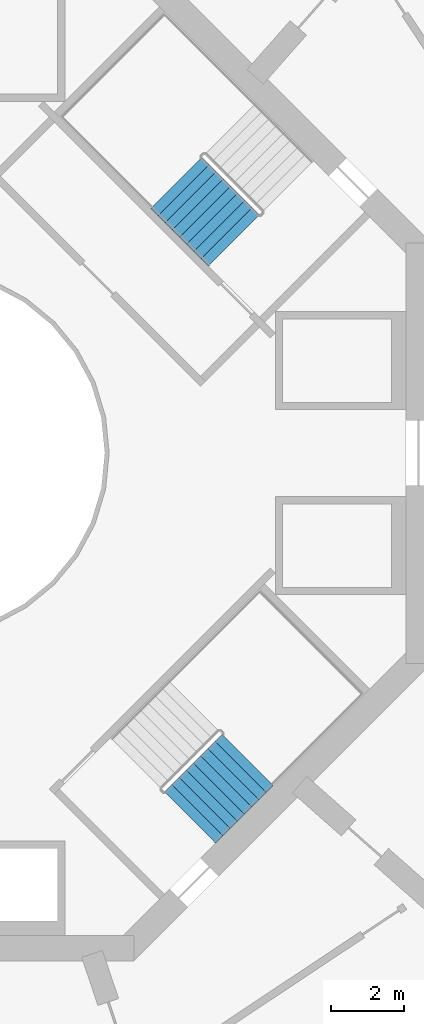
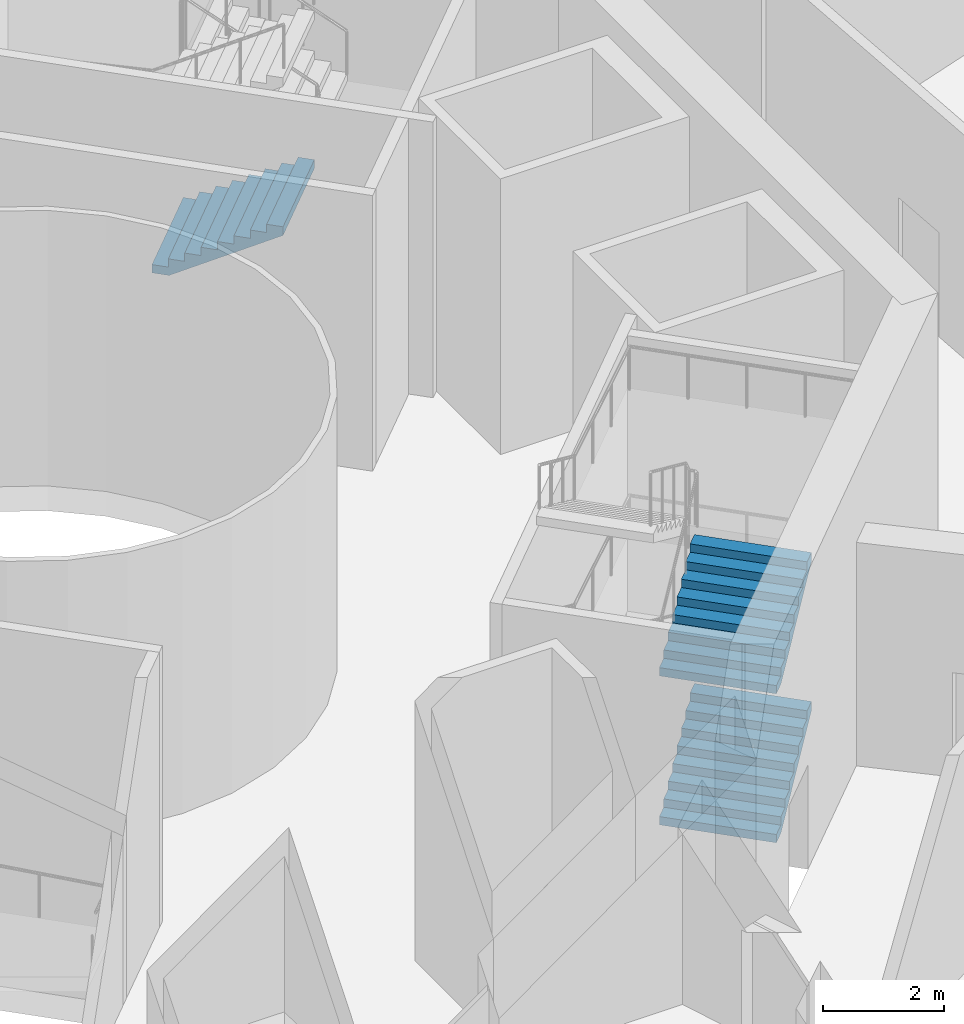
# One storey, part 13 of 16: 3 stair flights, 2 elements without a shape of their own.
"""IFC4 building model written with IfcOpenShell, lengths in metres."""

from ifc_helpers import new_model, si_unit, direction, frame, origin, place, context, subcontext, project, spatial, triangles, material, type_object, element, aggregate, save


model = new_model("IFC4")

# Units and contexts
model_context = context("Model", 3, precision=1e-05, world=origin(), true_north=direction((0.0, 1.0)))
body_context = subcontext(model_context, "Body", "Model", "MODEL_VIEW")
ifc_project = project(units=[si_unit("LENGTHUNIT", "METRE"), si_unit("AREAUNIT", "SQUARE_METRE"), si_unit("VOLUMEUNIT", "CUBIC_METRE"), si_unit("PLANEANGLEUNIT", "RADIAN"), si_unit("MASSUNIT", "GRAM", prefix="KILO")], contexts=[model_context])

# Site, building, storey
site_placement = place(None, origin())
site = spatial("IfcSite", under=ifc_project, at=site_placement, CompositionType="ELEMENT")
building_placement = place(site_placement, origin())
building = spatial("IfcBuilding", under=site, at=building_placement, Name="Verdalira Terraces Hotel", CompositionType="ELEMENT")
storey_placement = place(building_placement, frame((0.0, 0.0, 169.0)))
storey = spatial("IfcBuildingStorey", under=building, at=storey_placement, Name="L41", CompositionType="ELEMENT", Elevation=169.0)

# Stair, stair flight
ifc_material_1 = material(Name="Concrete C40", Category="concrete")
stair_type = type_object("IfcStairType", Name="Core stair 36 risers 2000 mm wide", PredefinedType="HALF_TURN_STAIR", material=ifc_material_1)
stair_1_placement = place(storey_placement, origin())
stair_1 = element("IfcStair", 1, at=stair_1_placement, inside=storey, type_object=stair_type, Name="L41 Exit stair ST1", PredefinedType="HALF_TURN_STAIR")
ifc_material_2 = material(Name="Concrete C40", Category="concrete")
stair_flight_type = type_object("IfcStairFlightType", Name="Core stair flight 36 risers 2000 mm wide", PredefinedType="STRAIGHT", material=ifc_material_2)
stair_flight_1_placement = place(storey_placement, frame((6.972168, 7.452881, 1.5), z_axis=(0.0, 0.0, 1.0), x_axis=(0.707106781, -0.707106781, 0.0)))
stair_flight_1 = element("IfcStairFlight", 2, at=stair_flight_1_placement, type_object=stair_flight_type, Name="ST1 flight 2", NumberOfRisers=9, NumberOfTreads=8, PredefinedType="STRAIGHT", RiserHeight=0.166666667, TreadLength=0.28, context=body_context, shape_type="Tessellation", body=[
    triangles([(0.0, 1.0, 0.0), (0.292969, 1.0, 0.0), (2.23999, 1.0, 1.158936), (0.0, -1.0, 0.0), (0.292969, -1.0, 0.0), (2.23999, -1.0, 1.158936), (2.23999, 1.0, 1.333252), (1.959961, 1.0, 1.333252), (2.23999, -1.0, 1.333252), (1.959961, -1.0, 1.333252), (1.959961, 1.0, 1.166748), (1.959961, -1.0, 1.166748), (1.679932, 1.0, 1.166748), (1.679932, -1.0, 1.166748), (1.679932, 1.0, 1.0), (1.679932, -1.0, 1.0), (1.399902, 1.0, 1.0), (1.399902, 1.0, 0.833252), (1.399902, -1.0, 1.0), (1.399902, -1.0, 0.833252), (1.120117, 1.0, 0.833252), (1.120117, 1.0, 0.666748), (1.120117, -1.0, 0.833252), (1.120117, -1.0, 0.666748), (0.840088, 1.0, 0.666748), (0.840088, 1.0, 0.5), (0.840088, -1.0, 0.666748), (0.840088, -1.0, 0.5), (0.560059, 1.0, 0.5), (0.560059, 1.0, 0.333252), (0.560059, -1.0, 0.5), (0.560059, -1.0, 0.333252), (0.280029, 1.0, 0.333252), (0.280029, 1.0, 0.166748), (0.280029, -1.0, 0.333252), (0.280029, -1.0, 0.166748), (0.0, 1.0, 0.166748), (0.0, -1.0, 0.166748), (0.0, -0.9375, 0.0), (0.0, -0.9375, 0.166748), (0.0, -0.875, 0.0), (0.0, -0.875, 0.166748), (0.0, -0.8125, 0.0), (0.0, -0.8125, 0.166748), (0.0, -0.75, 0.0), (0.0, -0.75, 0.166748), (0.0, -0.6875, 0.0), (0.0, -0.6875, 0.166748), (0.0, -0.625, 0.0), (0.0, -0.625, 0.166748), (0.0, -0.5625, 0.0), (0.0, -0.5625, 0.166748), (0.0, -0.5, 0.0), (0.0, -0.5, 0.166748), (0.0, -0.4375, 0.0), (0.0, -0.4375, 0.166748), (0.0, -0.375, 0.0), (0.0, -0.375, 0.166748), (0.0, -0.3125, 0.0), (0.0, -0.3125, 0.166748), (0.0, -0.25, 0.0), (0.0, -0.25, 0.166748), (0.0, -0.1875, 0.0), (0.0, -0.1875, 0.166748), (0.0, -0.125, 0.0), (0.0, -0.125, 0.166748), (0.0, -0.0625, 0.0), (0.0, -0.0625, 0.166748), (0.0, 0.0, 0.0), (0.0, 0.0, 0.166748), (0.0, 0.0625, 0.0), (0.0, 0.0625, 0.166748), (0.0, 0.125, 0.0), (0.0, 0.125, 0.166748), (0.0, 0.1875, 0.0), (0.0, 0.1875, 0.166748), (0.0, 0.25, 0.0), (0.0, 0.25, 0.166748), (0.0, 0.3125, 0.0), (0.0, 0.3125, 0.166748), (0.0, 0.375, 0.0), (0.0, 0.375, 0.166748), (0.0, 0.4375, 0.0), (0.0, 0.4375, 0.166748), (0.0, 0.5, 0.0), (0.0, 0.5, 0.166748), (0.0, 0.5625, 0.0), (0.0, 0.5625, 0.166748), (0.0, 0.625, 0.0), (0.0, 0.625, 0.166748), (0.0, 0.6875, 0.0), (0.0, 0.6875, 0.166748), (0.0, 0.75, 0.0), (0.0, 0.75, 0.166748), (0.0, 0.8125, 0.0), (0.0, 0.8125, 0.166748), (0.0, 0.875, 0.0), (0.0, 0.875, 0.166748), (0.0, 0.9375, 0.0), (0.0, 0.9375, 0.166748), (2.23999, -0.9375, 1.333252), (2.23999, -0.875, 1.333252), (2.23999, -0.8125, 1.333252), (2.23999, -0.75, 1.333252), (2.23999, -0.6875, 1.333252), (2.23999, -0.625, 1.333252), (2.23999, -0.5625, 1.333252), (2.23999, -0.5, 1.333252), (2.23999, -0.4375, 1.333252), (2.23999, -0.375, 1.333252), (2.23999, -0.3125, 1.333252), (2.23999, -0.25, 1.333252), (2.23999, -0.1875, 1.333252), (2.23999, -0.125, 1.333252), (2.23999, -0.0625, 1.333252), (2.23999, 0.0, 1.333252), (2.23999, 0.0625, 1.333252), (2.23999, 0.125, 1.333252), (2.23999, 0.1875, 1.333252), (2.23999, 0.25, 1.333252), (2.23999, 0.3125, 1.333252), (2.23999, 0.375, 1.333252), (2.23999, 0.4375, 1.333252), (2.23999, 0.5, 1.333252), (2.23999, 0.5625, 1.333252), (2.23999, 0.625, 1.333252), (2.23999, 0.6875, 1.333252), (2.23999, 0.75, 1.333252), (2.23999, 0.8125, 1.333252), (2.23999, 0.875, 1.333252), (2.23999, 0.9375, 1.333252), (2.23999, -0.9375, 1.158936), (2.23999, -0.875, 1.158936), (2.23999, -0.8125, 1.158936), (2.23999, -0.75, 1.158936), (2.23999, -0.6875, 1.158936), (2.23999, -0.625, 1.158936), (2.23999, -0.5625, 1.158936), (2.23999, -0.5, 1.158936), (2.23999, -0.4375, 1.158936), (2.23999, -0.375, 1.158936), (2.23999, -0.3125, 1.158936), (2.23999, -0.25, 1.158936), (2.23999, -0.1875, 1.158936), (2.23999, -0.125, 1.158936), (2.23999, -0.0625, 1.158936), (2.23999, 0.0, 1.158936), (2.23999, 0.0625, 1.158936), (2.23999, 0.125, 1.158936), (2.23999, 0.1875, 1.158936), (2.23999, 0.25, 1.158936), (2.23999, 0.3125, 1.158936), (2.23999, 0.375, 1.158936), (2.23999, 0.4375, 1.158936), (2.23999, 0.5, 1.158936), (2.23999, 0.5625, 1.158936), (2.23999, 0.625, 1.158936), (2.23999, 0.6875, 1.158936), (2.23999, 0.75, 1.158936), (2.23999, 0.8125, 1.158936), (2.23999, 0.875, 1.158936), (2.23999, 0.9375, 1.158936)], [[1, 3, 2], [4, 5, 6], [3, 8, 7], [6, 9, 10], [3, 11, 8], [6, 10, 12], [3, 13, 11], [6, 12, 14], [3, 15, 13], [6, 14, 16], [15, 18, 17], [16, 19, 20], [3, 18, 15], [6, 16, 20], [18, 22, 21], [20, 23, 24], [3, 22, 18], [6, 20, 24], [22, 26, 25], [24, 27, 28], [3, 26, 22], [6, 24, 28], [26, 30, 29], [28, 31, 32], [3, 30, 26], [6, 28, 32], [1, 30, 3], [4, 6, 32], [30, 34, 33], [32, 35, 36], [1, 34, 30], [4, 32, 36], [34, 1, 37], [36, 38, 4], [4, 40, 39], [4, 38, 40], [39, 42, 41], [39, 40, 42], [41, 44, 43], [41, 42, 44], [43, 46, 45], [43, 44, 46], [45, 48, 47], [45, 46, 48], [47, 50, 49], [47, 48, 50], [49, 52, 51], [49, 50, 52], [51, 54, 53], [51, 52, 54], [53, 56, 55], [53, 54, 56], [55, 58, 57], [55, 56, 58], [57, 60, 59], [57, 58, 60], [59, 62, 61], [59, 60, 62], [61, 64, 63], [61, 62, 64], [63, 66, 65], [63, 64, 66], [65, 68, 67], [65, 66, 68], [67, 70, 69], [67, 68, 70], [69, 72, 71], [69, 70, 72], [71, 74, 73], [71, 72, 74], [73, 76, 75], [73, 74, 76], [75, 78, 77], [75, 76, 78], [77, 80, 79], [77, 78, 80], [79, 82, 81], [79, 80, 82], [81, 84, 83], [81, 82, 84], [83, 86, 85], [83, 84, 86], [85, 88, 87], [85, 86, 88], [87, 90, 89], [87, 88, 90], [89, 92, 91], [89, 90, 92], [91, 94, 93], [91, 92, 94], [93, 96, 95], [93, 94, 96], [95, 98, 97], [95, 96, 98], [97, 100, 99], [97, 98, 100], [99, 37, 1], [99, 100, 37], [38, 36, 40], [40, 36, 42], [42, 36, 44], [44, 36, 46], [46, 36, 48], [48, 36, 50], [50, 36, 52], [52, 36, 54], [54, 36, 56], [56, 36, 58], [58, 36, 60], [60, 36, 62], [62, 36, 64], [64, 36, 66], [66, 36, 68], [68, 36, 70], [70, 36, 72], [72, 36, 74], [74, 36, 76], [76, 36, 78], [78, 36, 80], [80, 36, 82], [82, 36, 84], [84, 36, 86], [86, 36, 88], [88, 36, 90], [90, 36, 92], [92, 36, 94], [94, 36, 96], [96, 36, 98], [98, 36, 100], [100, 36, 37], [37, 36, 34], [36, 33, 34], [36, 35, 33], [35, 30, 33], [35, 32, 30], [32, 29, 30], [32, 31, 29], [31, 26, 29], [31, 28, 26], [28, 25, 26], [28, 27, 25], [27, 22, 25], [27, 24, 22], [24, 21, 22], [24, 23, 21], [23, 18, 21], [23, 20, 18], [20, 17, 18], [20, 19, 17], [19, 15, 17], [19, 16, 15], [16, 13, 15], [16, 14, 13], [14, 11, 13], [14, 12, 11], [12, 8, 11], [12, 10, 8], [9, 101, 10], [101, 102, 10], [102, 103, 10], [103, 104, 10], [104, 105, 10], [105, 106, 10], [106, 107, 10], [107, 108, 10], [108, 109, 10], [109, 110, 10], [110, 111, 10], [111, 112, 10], [112, 113, 10], [113, 114, 10], [114, 115, 10], [115, 116, 10], [116, 117, 10], [117, 118, 10], [118, 119, 10], [119, 120, 10], [120, 121, 10], [121, 122, 10], [122, 123, 10], [123, 124, 10], [124, 125, 10], [125, 126, 10], [126, 127, 10], [127, 128, 10], [128, 129, 10], [129, 130, 10], [130, 131, 10], [131, 7, 10], [7, 8, 10], [9, 132, 101], [9, 6, 132], [101, 133, 102], [101, 132, 133], [102, 134, 103], [102, 133, 134], [103, 135, 104], [103, 134, 135], [104, 136, 105], [104, 135, 136], [105, 137, 106], [105, 136, 137], [106, 138, 107], [106, 137, 138], [107, 139, 108], [107, 138, 139], [108, 140, 109], [108, 139, 140], [109, 141, 110], [109, 140, 141], [110, 142, 111], [110, 141, 142], [111, 143, 112], [111, 142, 143], [112, 144, 113], [112, 143, 144], [113, 145, 114], [113, 144, 145], [114, 146, 115], [114, 145, 146], [115, 147, 116], [115, 146, 147], [116, 148, 117], [116, 147, 148], [117, 149, 118], [117, 148, 149], [118, 150, 119], [118, 149, 150], [119, 151, 120], [119, 150, 151], [120, 152, 121], [120, 151, 152], [121, 153, 122], [121, 152, 153], [122, 154, 123], [122, 153, 154], [123, 155, 124], [123, 154, 155], [124, 156, 125], [124, 155, 156], [125, 157, 126], [125, 156, 157], [126, 158, 127], [126, 157, 158], [127, 159, 128], [127, 158, 159], [128, 160, 129], [128, 159, 160], [129, 161, 130], [129, 160, 161], [130, 162, 131], [130, 161, 162], [131, 3, 7], [131, 162, 3], [6, 5, 132], [132, 5, 133], [133, 5, 134], [134, 5, 135], [135, 5, 136], [136, 5, 137], [137, 5, 138], [138, 5, 139], [139, 5, 140], [140, 5, 141], [141, 5, 142], [142, 5, 143], [143, 5, 144], [144, 5, 145], [145, 5, 146], [146, 5, 147], [147, 5, 148], [148, 5, 149], [149, 5, 150], [150, 5, 151], [151, 5, 152], [152, 5, 153], [153, 5, 154], [154, 5, 155], [155, 5, 156], [156, 5, 157], [157, 5, 158], [158, 5, 159], [159, 5, 160], [160, 5, 161], [161, 5, 162], [162, 5, 3], [3, 5, 2], [4, 39, 5], [39, 41, 5], [41, 43, 5], [43, 45, 5], [45, 47, 5], [47, 49, 5], [49, 51, 5], [51, 53, 5], [53, 55, 5], [55, 57, 5], [57, 59, 5], [59, 61, 5], [61, 63, 5], [63, 65, 5], [65, 67, 5], [67, 69, 5], [69, 71, 5], [71, 73, 5], [73, 75, 5], [75, 77, 5], [77, 79, 5], [79, 81, 5], [81, 83, 5], [83, 85, 5], [85, 87, 5], [87, 89, 5], [89, 91, 5], [91, 93, 5], [93, 95, 5], [95, 97, 5], [97, 99, 5], [99, 1, 5], [1, 2, 5]], closed=True),
])
aggregate(stair_1, [stair_flight_1])

# Stair, stair flights
stair_2_placement = place(storey_placement, origin())
stair_2 = element("IfcStair", 3, at=stair_2_placement, inside=storey, type_object=stair_type, Name="L41 Exit stair ST3", PredefinedType="HALF_TURN_STAIR")
stair_flight_2_placement = place(storey_placement, frame((7.354004, -10.041016, 0.0), z_axis=(0.0, 0.0, 1.0), x_axis=(0.707106781, 0.707106781, 0.0)))
stair_flight_2 = element("IfcStairFlight", 4, at=stair_flight_2_placement, type_object=stair_flight_type, Name="ST3 flight 1", NumberOfRisers=9, NumberOfTreads=8, PredefinedType="STRAIGHT", RiserHeight=0.166666667, TreadLength=0.28, context=body_context, shape_type="Tessellation", body=[
    triangles([(0.0, 1.0, 0.0), (0.292969, 1.0, 0.0), (2.23999, 1.0, 1.158936), (0.0, -1.0, 0.0), (0.292969, -1.0, 0.0), (2.23999, -1.0, 1.158936), (2.23999, 1.0, 1.333252), (1.959961, 1.0, 1.333252), (2.23999, -1.0, 1.333252), (1.959961, -1.0, 1.333252), (1.959961, 1.0, 1.166748), (1.959961, -1.0, 1.166748), (1.679932, 1.0, 1.166748), (1.679932, -1.0, 1.166748), (1.679932, 1.0, 1.0), (1.679932, -1.0, 1.0), (1.399902, 1.0, 1.0), (1.399902, 1.0, 0.833252), (1.399902, -1.0, 1.0), (1.399902, -1.0, 0.833252), (1.120117, 1.0, 0.833252), (1.120117, 1.0, 0.666748), (1.120117, -1.0, 0.833252), (1.120117, -1.0, 0.666748), (0.840088, 1.0, 0.666748), (0.840088, 1.0, 0.5), (0.840088, -1.0, 0.666748), (0.840088, -1.0, 0.5), (0.560059, 1.0, 0.5), (0.560059, 1.0, 0.333252), (0.560059, -1.0, 0.5), (0.560059, -1.0, 0.333252), (0.280029, 1.0, 0.333252), (0.280029, 1.0, 0.166748), (0.280029, -1.0, 0.333252), (0.280029, -1.0, 0.166748), (0.0, 1.0, 0.166748), (0.0, -1.0, 0.166748), (0.0, -0.9375, 0.0), (0.0, -0.9375, 0.166748), (0.0, -0.875, 0.0), (0.0, -0.875, 0.166748), (0.0, -0.8125, 0.0), (0.0, -0.8125, 0.166748), (0.0, -0.75, 0.0), (0.0, -0.75, 0.166748), (0.0, -0.6875, 0.0), (0.0, -0.6875, 0.166748), (0.0, -0.625, 0.0), (0.0, -0.625, 0.166748), (0.0, -0.5625, 0.0), (0.0, -0.5625, 0.166748), (0.0, -0.5, 0.0), (0.0, -0.5, 0.166748), (0.0, -0.4375, 0.0), (0.0, -0.4375, 0.166748), (0.0, -0.375, 0.0), (0.0, -0.375, 0.166748), (0.0, -0.3125, 0.0), (0.0, -0.3125, 0.166748), (0.0, -0.25, 0.0), (0.0, -0.25, 0.166748), (0.0, -0.1875, 0.0), (0.0, -0.1875, 0.166748), (0.0, -0.125, 0.0), (0.0, -0.125, 0.166748), (0.0, -0.0625, 0.0), (0.0, -0.0625, 0.166748), (0.0, 0.0, 0.0), (0.0, 0.0, 0.166748), (0.0, 0.0625, 0.0), (0.0, 0.0625, 0.166748), (0.0, 0.125, 0.0), (0.0, 0.125, 0.166748), (0.0, 0.1875, 0.0), (0.0, 0.1875, 0.166748), (0.0, 0.25, 0.0), (0.0, 0.25, 0.166748), (0.0, 0.3125, 0.0), (0.0, 0.3125, 0.166748), (0.0, 0.375, 0.0), (0.0, 0.375, 0.166748), (0.0, 0.4375, 0.0), (0.0, 0.4375, 0.166748), (0.0, 0.5, 0.0), (0.0, 0.5, 0.166748), (0.0, 0.5625, 0.0), (0.0, 0.5625, 0.166748), (0.0, 0.625, 0.0), (0.0, 0.625, 0.166748), (0.0, 0.6875, 0.0), (0.0, 0.6875, 0.166748), (0.0, 0.75, 0.0), (0.0, 0.75, 0.166748), (0.0, 0.8125, 0.0), (0.0, 0.8125, 0.166748), (0.0, 0.875, 0.0), (0.0, 0.875, 0.166748), (0.0, 0.9375, 0.0), (0.0, 0.9375, 0.166748), (2.23999, -0.9375, 1.333252), (2.23999, -0.875, 1.333252), (2.23999, -0.8125, 1.333252), (2.23999, -0.75, 1.333252), (2.23999, -0.6875, 1.333252), (2.23999, -0.625, 1.333252), (2.23999, -0.5625, 1.333252), (2.23999, -0.5, 1.333252), (2.23999, -0.4375, 1.333252), (2.23999, -0.375, 1.333252), (2.23999, -0.3125, 1.333252), (2.23999, -0.25, 1.333252), (2.23999, -0.1875, 1.333252), (2.23999, -0.125, 1.333252), (2.23999, -0.0625, 1.333252), (2.23999, 0.0, 1.333252), (2.23999, 0.0625, 1.333252), (2.23999, 0.125, 1.333252), (2.23999, 0.1875, 1.333252), (2.23999, 0.25, 1.333252), (2.23999, 0.3125, 1.333252), (2.23999, 0.375, 1.333252), (2.23999, 0.4375, 1.333252), (2.23999, 0.5, 1.333252), (2.23999, 0.5625, 1.333252), (2.23999, 0.625, 1.333252), (2.23999, 0.6875, 1.333252), (2.23999, 0.75, 1.333252), (2.23999, 0.8125, 1.333252), (2.23999, 0.875, 1.333252), (2.23999, 0.9375, 1.333252), (2.23999, -0.9375, 1.158936), (2.23999, -0.875, 1.158936), (2.23999, -0.8125, 1.158936), (2.23999, -0.75, 1.158936), (2.23999, -0.6875, 1.158936), (2.23999, -0.625, 1.158936), (2.23999, -0.5625, 1.158936), (2.23999, -0.5, 1.158936), (2.23999, -0.4375, 1.158936), (2.23999, -0.375, 1.158936), (2.23999, -0.3125, 1.158936), (2.23999, -0.25, 1.158936), (2.23999, -0.1875, 1.158936), (2.23999, -0.125, 1.158936), (2.23999, -0.0625, 1.158936), (2.23999, 0.0, 1.158936), (2.23999, 0.0625, 1.158936), (2.23999, 0.125, 1.158936), (2.23999, 0.1875, 1.158936), (2.23999, 0.25, 1.158936), (2.23999, 0.3125, 1.158936), (2.23999, 0.375, 1.158936), (2.23999, 0.4375, 1.158936), (2.23999, 0.5, 1.158936), (2.23999, 0.5625, 1.158936), (2.23999, 0.625, 1.158936), (2.23999, 0.6875, 1.158936), (2.23999, 0.75, 1.158936), (2.23999, 0.8125, 1.158936), (2.23999, 0.875, 1.158936), (2.23999, 0.9375, 1.158936)], [[1, 3, 2], [4, 5, 6], [3, 8, 7], [6, 9, 10], [3, 11, 8], [6, 10, 12], [3, 13, 11], [6, 12, 14], [3, 15, 13], [6, 14, 16], [15, 18, 17], [16, 19, 20], [3, 18, 15], [6, 16, 20], [18, 22, 21], [20, 23, 24], [3, 22, 18], [6, 20, 24], [22, 26, 25], [24, 27, 28], [3, 26, 22], [6, 24, 28], [26, 30, 29], [28, 31, 32], [3, 30, 26], [6, 28, 32], [1, 30, 3], [4, 6, 32], [30, 34, 33], [32, 35, 36], [1, 34, 30], [4, 32, 36], [34, 1, 37], [36, 38, 4], [4, 40, 39], [4, 38, 40], [39, 42, 41], [39, 40, 42], [41, 44, 43], [41, 42, 44], [43, 46, 45], [43, 44, 46], [45, 48, 47], [45, 46, 48], [47, 50, 49], [47, 48, 50], [49, 52, 51], [49, 50, 52], [51, 54, 53], [51, 52, 54], [53, 56, 55], [53, 54, 56], [55, 58, 57], [55, 56, 58], [57, 60, 59], [57, 58, 60], [59, 62, 61], [59, 60, 62], [61, 64, 63], [61, 62, 64], [63, 66, 65], [63, 64, 66], [65, 68, 67], [65, 66, 68], [67, 70, 69], [67, 68, 70], [69, 72, 71], [69, 70, 72], [71, 74, 73], [71, 72, 74], [73, 76, 75], [73, 74, 76], [75, 78, 77], [75, 76, 78], [77, 80, 79], [77, 78, 80], [79, 82, 81], [79, 80, 82], [81, 84, 83], [81, 82, 84], [83, 86, 85], [83, 84, 86], [85, 88, 87], [85, 86, 88], [87, 90, 89], [87, 88, 90], [89, 92, 91], [89, 90, 92], [91, 94, 93], [91, 92, 94], [93, 96, 95], [93, 94, 96], [95, 98, 97], [95, 96, 98], [97, 100, 99], [97, 98, 100], [99, 37, 1], [99, 100, 37], [38, 36, 40], [40, 36, 42], [42, 36, 44], [44, 36, 46], [46, 36, 48], [48, 36, 50], [50, 36, 52], [52, 36, 54], [54, 36, 56], [56, 36, 58], [58, 36, 60], [60, 36, 62], [62, 36, 64], [64, 36, 66], [66, 36, 68], [68, 36, 70], [70, 36, 72], [72, 36, 74], [74, 36, 76], [76, 36, 78], [78, 36, 80], [80, 36, 82], [82, 36, 84], [84, 36, 86], [86, 36, 88], [88, 36, 90], [90, 36, 92], [92, 36, 94], [94, 36, 96], [96, 36, 98], [98, 36, 100], [100, 36, 37], [37, 36, 34], [36, 33, 34], [36, 35, 33], [35, 30, 33], [35, 32, 30], [32, 29, 30], [32, 31, 29], [31, 26, 29], [31, 28, 26], [28, 25, 26], [28, 27, 25], [27, 22, 25], [27, 24, 22], [24, 21, 22], [24, 23, 21], [23, 18, 21], [23, 20, 18], [20, 17, 18], [20, 19, 17], [19, 15, 17], [19, 16, 15], [16, 13, 15], [16, 14, 13], [14, 11, 13], [14, 12, 11], [12, 8, 11], [12, 10, 8], [9, 101, 10], [101, 102, 10], [102, 103, 10], [103, 104, 10], [104, 105, 10], [105, 106, 10], [106, 107, 10], [107, 108, 10], [108, 109, 10], [109, 110, 10], [110, 111, 10], [111, 112, 10], [112, 113, 10], [113, 114, 10], [114, 115, 10], [115, 116, 10], [116, 117, 10], [117, 118, 10], [118, 119, 10], [119, 120, 10], [120, 121, 10], [121, 122, 10], [122, 123, 10], [123, 124, 10], [124, 125, 10], [125, 126, 10], [126, 127, 10], [127, 128, 10], [128, 129, 10], [129, 130, 10], [130, 131, 10], [131, 7, 10], [7, 8, 10], [9, 132, 101], [9, 6, 132], [101, 133, 102], [101, 132, 133], [102, 134, 103], [102, 133, 134], [103, 135, 104], [103, 134, 135], [104, 136, 105], [104, 135, 136], [105, 137, 106], [105, 136, 137], [106, 138, 107], [106, 137, 138], [107, 139, 108], [107, 138, 139], [108, 140, 109], [108, 139, 140], [109, 141, 110], [109, 140, 141], [110, 142, 111], [110, 141, 142], [111, 143, 112], [111, 142, 143], [112, 144, 113], [112, 143, 144], [113, 145, 114], [113, 144, 145], [114, 146, 115], [114, 145, 146], [115, 147, 116], [115, 146, 147], [116, 148, 117], [116, 147, 148], [117, 149, 118], [117, 148, 149], [118, 150, 119], [118, 149, 150], [119, 151, 120], [119, 150, 151], [120, 152, 121], [120, 151, 152], [121, 153, 122], [121, 152, 153], [122, 154, 123], [122, 153, 154], [123, 155, 124], [123, 154, 155], [124, 156, 125], [124, 155, 156], [125, 157, 126], [125, 156, 157], [126, 158, 127], [126, 157, 158], [127, 159, 128], [127, 158, 159], [128, 160, 129], [128, 159, 160], [129, 161, 130], [129, 160, 161], [130, 162, 131], [130, 161, 162], [131, 3, 7], [131, 162, 3], [6, 5, 132], [132, 5, 133], [133, 5, 134], [134, 5, 135], [135, 5, 136], [136, 5, 137], [137, 5, 138], [138, 5, 139], [139, 5, 140], [140, 5, 141], [141, 5, 142], [142, 5, 143], [143, 5, 144], [144, 5, 145], [145, 5, 146], [146, 5, 147], [147, 5, 148], [148, 5, 149], [149, 5, 150], [150, 5, 151], [151, 5, 152], [152, 5, 153], [153, 5, 154], [154, 5, 155], [155, 5, 156], [156, 5, 157], [157, 5, 158], [158, 5, 159], [159, 5, 160], [160, 5, 161], [161, 5, 162], [162, 5, 3], [3, 5, 2], [4, 39, 5], [39, 41, 5], [41, 43, 5], [43, 45, 5], [45, 47, 5], [47, 49, 5], [49, 51, 5], [51, 53, 5], [53, 55, 5], [55, 57, 5], [57, 59, 5], [59, 61, 5], [61, 63, 5], [63, 65, 5], [65, 67, 5], [67, 69, 5], [69, 71, 5], [71, 73, 5], [73, 75, 5], [75, 77, 5], [77, 79, 5], [79, 81, 5], [81, 83, 5], [83, 85, 5], [85, 87, 5], [87, 89, 5], [89, 91, 5], [91, 93, 5], [93, 95, 5], [95, 97, 5], [97, 99, 5], [99, 1, 5], [1, 2, 5]], closed=True),
])
stair_flight_3_placement = place(storey_placement, frame((7.354004, -10.041016, 3.0), z_axis=(0.0, 0.0, 1.0), x_axis=(0.707106781, 0.707106781, 0.0)))
stair_flight_3 = element("IfcStairFlight", 5, at=stair_flight_3_placement, type_object=stair_flight_type, Name="ST3 flight 3", NumberOfRisers=9, NumberOfTreads=8, PredefinedType="STRAIGHT", RiserHeight=0.166666667, TreadLength=0.28, context=body_context, shape_type="Tessellation", body=[
    triangles([(0.0, 1.0, 0.0), (0.292969, 1.0, 0.0), (2.23999, 1.0, 1.158936), (0.0, -1.0, 0.0), (0.292969, -1.0, 0.0), (2.23999, -1.0, 1.158936), (2.23999, 1.0, 1.333252), (1.959961, 1.0, 1.333252), (2.23999, -1.0, 1.333252), (1.959961, -1.0, 1.333252), (1.959961, 1.0, 1.166748), (1.959961, -1.0, 1.166748), (1.679932, 1.0, 1.166748), (1.679932, -1.0, 1.166748), (1.679932, 1.0, 1.0), (1.679932, -1.0, 1.0), (1.399902, 1.0, 1.0), (1.399902, 1.0, 0.833252), (1.399902, -1.0, 1.0), (1.399902, -1.0, 0.833252), (1.120117, 1.0, 0.833252), (1.120117, 1.0, 0.666748), (1.120117, -1.0, 0.833252), (1.120117, -1.0, 0.666748), (0.840088, 1.0, 0.666748), (0.840088, 1.0, 0.5), (0.840088, -1.0, 0.666748), (0.840088, -1.0, 0.5), (0.560059, 1.0, 0.5), (0.560059, 1.0, 0.333252), (0.560059, -1.0, 0.5), (0.560059, -1.0, 0.333252), (0.280029, 1.0, 0.333252), (0.280029, 1.0, 0.166748), (0.280029, -1.0, 0.333252), (0.280029, -1.0, 0.166748), (0.0, 1.0, 0.166748), (0.0, -1.0, 0.166748), (0.0, -0.9375, 0.0), (0.0, -0.9375, 0.166748), (0.0, -0.875, 0.0), (0.0, -0.875, 0.166748), (0.0, -0.8125, 0.0), (0.0, -0.8125, 0.166748), (0.0, -0.75, 0.0), (0.0, -0.75, 0.166748), (0.0, -0.6875, 0.0), (0.0, -0.6875, 0.166748), (0.0, -0.625, 0.0), (0.0, -0.625, 0.166748), (0.0, -0.5625, 0.0), (0.0, -0.5625, 0.166748), (0.0, -0.5, 0.0), (0.0, -0.5, 0.166748), (0.0, -0.4375, 0.0), (0.0, -0.4375, 0.166748), (0.0, -0.375, 0.0), (0.0, -0.375, 0.166748), (0.0, -0.3125, 0.0), (0.0, -0.3125, 0.166748), (0.0, -0.25, 0.0), (0.0, -0.25, 0.166748), (0.0, -0.1875, 0.0), (0.0, -0.1875, 0.166748), (0.0, -0.125, 0.0), (0.0, -0.125, 0.166748), (0.0, -0.0625, 0.0), (0.0, -0.0625, 0.166748), (0.0, 0.0, 0.0), (0.0, 0.0, 0.166748), (0.0, 0.0625, 0.0), (0.0, 0.0625, 0.166748), (0.0, 0.125, 0.0), (0.0, 0.125, 0.166748), (0.0, 0.1875, 0.0), (0.0, 0.1875, 0.166748), (0.0, 0.25, 0.0), (0.0, 0.25, 0.166748), (0.0, 0.3125, 0.0), (0.0, 0.3125, 0.166748), (0.0, 0.375, 0.0), (0.0, 0.375, 0.166748), (0.0, 0.4375, 0.0), (0.0, 0.4375, 0.166748), (0.0, 0.5, 0.0), (0.0, 0.5, 0.166748), (0.0, 0.5625, 0.0), (0.0, 0.5625, 0.166748), (0.0, 0.625, 0.0), (0.0, 0.625, 0.166748), (0.0, 0.6875, 0.0), (0.0, 0.6875, 0.166748), (0.0, 0.75, 0.0), (0.0, 0.75, 0.166748), (0.0, 0.8125, 0.0), (0.0, 0.8125, 0.166748), (0.0, 0.875, 0.0), (0.0, 0.875, 0.166748), (0.0, 0.9375, 0.0), (0.0, 0.9375, 0.166748), (2.23999, -0.9375, 1.333252), (2.23999, -0.875, 1.333252), (2.23999, -0.8125, 1.333252), (2.23999, -0.75, 1.333252), (2.23999, -0.6875, 1.333252), (2.23999, -0.625, 1.333252), (2.23999, -0.5625, 1.333252), (2.23999, -0.5, 1.333252), (2.23999, -0.4375, 1.333252), (2.23999, -0.375, 1.333252), (2.23999, -0.3125, 1.333252), (2.23999, -0.25, 1.333252), (2.23999, -0.1875, 1.333252), (2.23999, -0.125, 1.333252), (2.23999, -0.0625, 1.333252), (2.23999, 0.0, 1.333252), (2.23999, 0.0625, 1.333252), (2.23999, 0.125, 1.333252), (2.23999, 0.1875, 1.333252), (2.23999, 0.25, 1.333252), (2.23999, 0.3125, 1.333252), (2.23999, 0.375, 1.333252), (2.23999, 0.4375, 1.333252), (2.23999, 0.5, 1.333252), (2.23999, 0.5625, 1.333252), (2.23999, 0.625, 1.333252), (2.23999, 0.6875, 1.333252), (2.23999, 0.75, 1.333252), (2.23999, 0.8125, 1.333252), (2.23999, 0.875, 1.333252), (2.23999, 0.9375, 1.333252), (2.23999, -0.9375, 1.158936), (2.23999, -0.875, 1.158936), (2.23999, -0.8125, 1.158936), (2.23999, -0.75, 1.158936), (2.23999, -0.6875, 1.158936), (2.23999, -0.625, 1.158936), (2.23999, -0.5625, 1.158936), (2.23999, -0.5, 1.158936), (2.23999, -0.4375, 1.158936), (2.23999, -0.375, 1.158936), (2.23999, -0.3125, 1.158936), (2.23999, -0.25, 1.158936), (2.23999, -0.1875, 1.158936), (2.23999, -0.125, 1.158936), (2.23999, -0.0625, 1.158936), (2.23999, 0.0, 1.158936), (2.23999, 0.0625, 1.158936), (2.23999, 0.125, 1.158936), (2.23999, 0.1875, 1.158936), (2.23999, 0.25, 1.158936), (2.23999, 0.3125, 1.158936), (2.23999, 0.375, 1.158936), (2.23999, 0.4375, 1.158936), (2.23999, 0.5, 1.158936), (2.23999, 0.5625, 1.158936), (2.23999, 0.625, 1.158936), (2.23999, 0.6875, 1.158936), (2.23999, 0.75, 1.158936), (2.23999, 0.8125, 1.158936), (2.23999, 0.875, 1.158936), (2.23999, 0.9375, 1.158936)], [[1, 3, 2], [4, 5, 6], [3, 8, 7], [6, 9, 10], [3, 11, 8], [6, 10, 12], [3, 13, 11], [6, 12, 14], [3, 15, 13], [6, 14, 16], [15, 18, 17], [16, 19, 20], [3, 18, 15], [6, 16, 20], [18, 22, 21], [20, 23, 24], [3, 22, 18], [6, 20, 24], [22, 26, 25], [24, 27, 28], [3, 26, 22], [6, 24, 28], [26, 30, 29], [28, 31, 32], [3, 30, 26], [6, 28, 32], [1, 30, 3], [4, 6, 32], [30, 34, 33], [32, 35, 36], [1, 34, 30], [4, 32, 36], [34, 1, 37], [36, 38, 4], [4, 40, 39], [4, 38, 40], [39, 42, 41], [39, 40, 42], [41, 44, 43], [41, 42, 44], [43, 46, 45], [43, 44, 46], [45, 48, 47], [45, 46, 48], [47, 50, 49], [47, 48, 50], [49, 52, 51], [49, 50, 52], [51, 54, 53], [51, 52, 54], [53, 56, 55], [53, 54, 56], [55, 58, 57], [55, 56, 58], [57, 60, 59], [57, 58, 60], [59, 62, 61], [59, 60, 62], [61, 64, 63], [61, 62, 64], [63, 66, 65], [63, 64, 66], [65, 68, 67], [65, 66, 68], [67, 70, 69], [67, 68, 70], [69, 72, 71], [69, 70, 72], [71, 74, 73], [71, 72, 74], [73, 76, 75], [73, 74, 76], [75, 78, 77], [75, 76, 78], [77, 80, 79], [77, 78, 80], [79, 82, 81], [79, 80, 82], [81, 84, 83], [81, 82, 84], [83, 86, 85], [83, 84, 86], [85, 88, 87], [85, 86, 88], [87, 90, 89], [87, 88, 90], [89, 92, 91], [89, 90, 92], [91, 94, 93], [91, 92, 94], [93, 96, 95], [93, 94, 96], [95, 98, 97], [95, 96, 98], [97, 100, 99], [97, 98, 100], [99, 37, 1], [99, 100, 37], [38, 36, 40], [40, 36, 42], [42, 36, 44], [44, 36, 46], [46, 36, 48], [48, 36, 50], [50, 36, 52], [52, 36, 54], [54, 36, 56], [56, 36, 58], [58, 36, 60], [60, 36, 62], [62, 36, 64], [64, 36, 66], [66, 36, 68], [68, 36, 70], [70, 36, 72], [72, 36, 74], [74, 36, 76], [76, 36, 78], [78, 36, 80], [80, 36, 82], [82, 36, 84], [84, 36, 86], [86, 36, 88], [88, 36, 90], [90, 36, 92], [92, 36, 94], [94, 36, 96], [96, 36, 98], [98, 36, 100], [100, 36, 37], [37, 36, 34], [36, 33, 34], [36, 35, 33], [35, 30, 33], [35, 32, 30], [32, 29, 30], [32, 31, 29], [31, 26, 29], [31, 28, 26], [28, 25, 26], [28, 27, 25], [27, 22, 25], [27, 24, 22], [24, 21, 22], [24, 23, 21], [23, 18, 21], [23, 20, 18], [20, 17, 18], [20, 19, 17], [19, 15, 17], [19, 16, 15], [16, 13, 15], [16, 14, 13], [14, 11, 13], [14, 12, 11], [12, 8, 11], [12, 10, 8], [9, 101, 10], [101, 102, 10], [102, 103, 10], [103, 104, 10], [104, 105, 10], [105, 106, 10], [106, 107, 10], [107, 108, 10], [108, 109, 10], [109, 110, 10], [110, 111, 10], [111, 112, 10], [112, 113, 10], [113, 114, 10], [114, 115, 10], [115, 116, 10], [116, 117, 10], [117, 118, 10], [118, 119, 10], [119, 120, 10], [120, 121, 10], [121, 122, 10], [122, 123, 10], [123, 124, 10], [124, 125, 10], [125, 126, 10], [126, 127, 10], [127, 128, 10], [128, 129, 10], [129, 130, 10], [130, 131, 10], [131, 7, 10], [7, 8, 10], [9, 132, 101], [9, 6, 132], [101, 133, 102], [101, 132, 133], [102, 134, 103], [102, 133, 134], [103, 135, 104], [103, 134, 135], [104, 136, 105], [104, 135, 136], [105, 137, 106], [105, 136, 137], [106, 138, 107], [106, 137, 138], [107, 139, 108], [107, 138, 139], [108, 140, 109], [108, 139, 140], [109, 141, 110], [109, 140, 141], [110, 142, 111], [110, 141, 142], [111, 143, 112], [111, 142, 143], [112, 144, 113], [112, 143, 144], [113, 145, 114], [113, 144, 145], [114, 146, 115], [114, 145, 146], [115, 147, 116], [115, 146, 147], [116, 148, 117], [116, 147, 148], [117, 149, 118], [117, 148, 149], [118, 150, 119], [118, 149, 150], [119, 151, 120], [119, 150, 151], [120, 152, 121], [120, 151, 152], [121, 153, 122], [121, 152, 153], [122, 154, 123], [122, 153, 154], [123, 155, 124], [123, 154, 155], [124, 156, 125], [124, 155, 156], [125, 157, 126], [125, 156, 157], [126, 158, 127], [126, 157, 158], [127, 159, 128], [127, 158, 159], [128, 160, 129], [128, 159, 160], [129, 161, 130], [129, 160, 161], [130, 162, 131], [130, 161, 162], [131, 3, 7], [131, 162, 3], [6, 5, 132], [132, 5, 133], [133, 5, 134], [134, 5, 135], [135, 5, 136], [136, 5, 137], [137, 5, 138], [138, 5, 139], [139, 5, 140], [140, 5, 141], [141, 5, 142], [142, 5, 143], [143, 5, 144], [144, 5, 145], [145, 5, 146], [146, 5, 147], [147, 5, 148], [148, 5, 149], [149, 5, 150], [150, 5, 151], [151, 5, 152], [152, 5, 153], [153, 5, 154], [154, 5, 155], [155, 5, 156], [156, 5, 157], [157, 5, 158], [158, 5, 159], [159, 5, 160], [160, 5, 161], [161, 5, 162], [162, 5, 3], [3, 5, 2], [4, 39, 5], [39, 41, 5], [41, 43, 5], [43, 45, 5], [45, 47, 5], [47, 49, 5], [49, 51, 5], [51, 53, 5], [53, 55, 5], [55, 57, 5], [57, 59, 5], [59, 61, 5], [61, 63, 5], [63, 65, 5], [65, 67, 5], [67, 69, 5], [69, 71, 5], [71, 73, 5], [73, 75, 5], [75, 77, 5], [77, 79, 5], [79, 81, 5], [81, 83, 5], [83, 85, 5], [85, 87, 5], [87, 89, 5], [89, 91, 5], [91, 93, 5], [93, 95, 5], [95, 97, 5], [97, 99, 5], [99, 1, 5], [1, 2, 5]], closed=True),
])
aggregate(stair_2, [stair_flight_2, stair_flight_3])

save(model, "model.ifc")
